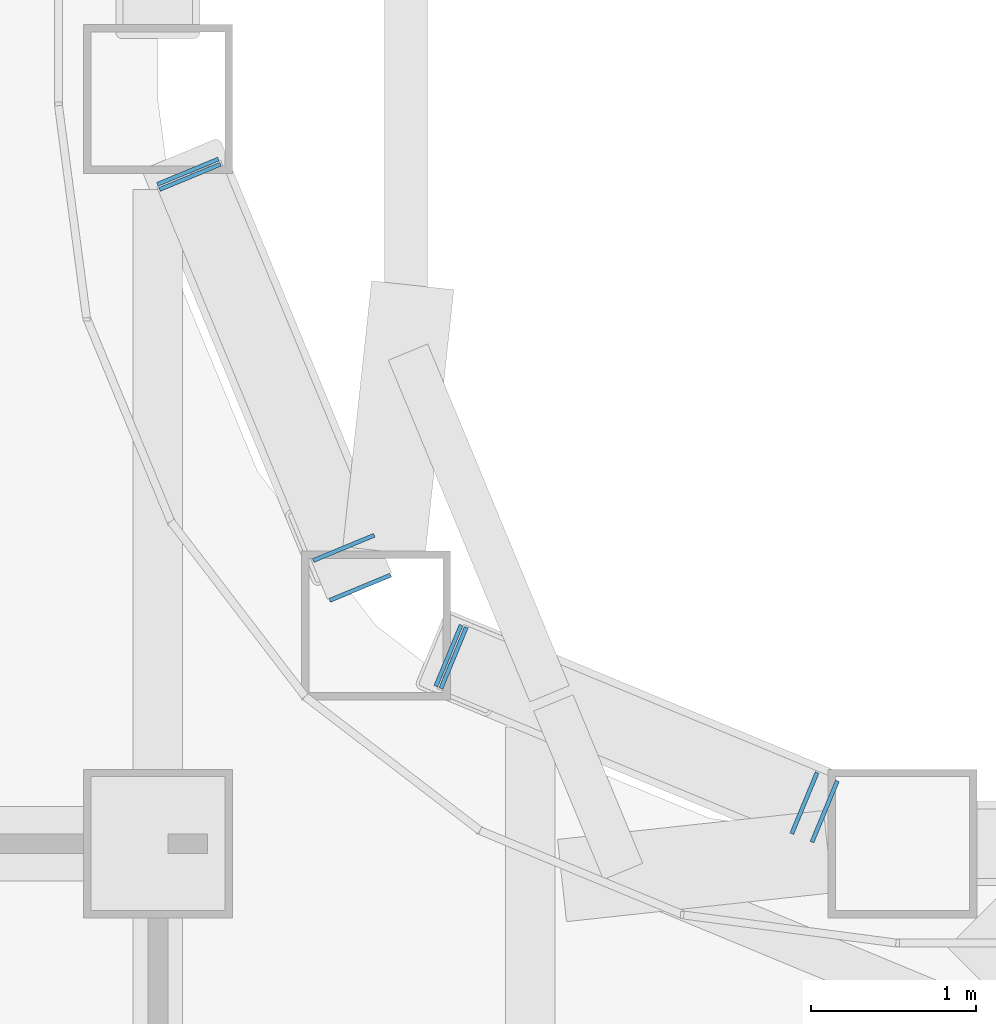
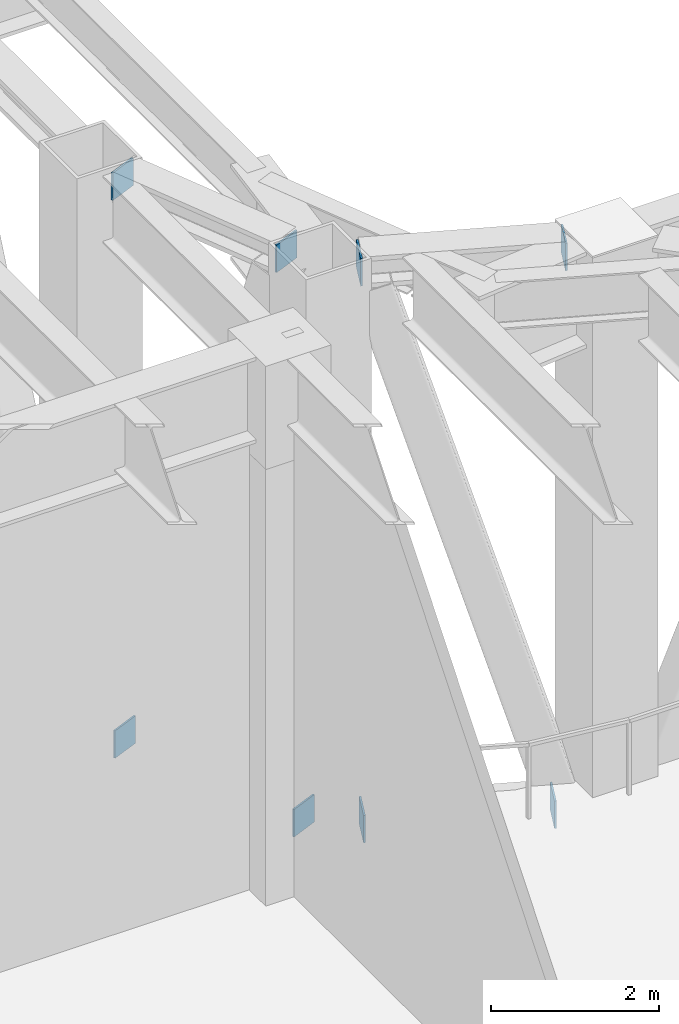
# One storey, part 6 of 16: 8 plates.
"""IFC4 building model written with IfcOpenShell, lengths in metres."""

from ifc_helpers import new_model, si_unit, direction, frame, origin, origin_2d, place, context, subcontext, project, spatial, rectangle, extrude, material, layer, layer_set, type_object, element, save


model = new_model("IFC4")

# Units and contexts
model_context = context("Model", 3, precision=1e-05, world=origin(), true_north=direction((0.0, 1.0)))
body_context = subcontext(model_context, "Body", "Model", "MODEL_VIEW")
ifc_project = project(units=[si_unit("LENGTHUNIT", "METRE"), si_unit("AREAUNIT", "SQUARE_METRE"), si_unit("VOLUMEUNIT", "CUBIC_METRE"), si_unit("PLANEANGLEUNIT", "RADIAN"), si_unit("MASSUNIT", "GRAM", prefix="KILO")], contexts=[model_context])

# Site, building, storey
site_placement = place(None, origin())
site = spatial("IfcSite", under=ifc_project, at=site_placement, CompositionType="ELEMENT")
building_placement = place(site_placement, origin())
building = spatial("IfcBuilding", under=site, at=building_placement, Name="Sennacour Bend Tower", CompositionType="ELEMENT")
storey_placement = place(building_placement, frame((0.0, 0.0, 187.0)))
storey = spatial("IfcBuildingStorey", under=building, at=storey_placement, Name="L43", CompositionType="ELEMENT", Elevation=187.0)

# Plates
ifc_material = material(Name="Steel ASTM A572 Grade 50", Category="steel")
ifc_layer = layer(ifc_material, 0.02490234375, Name="Steel ASTM A572 Grade 50", Category="steel")
ifc_layer_set = layer_set([ifc_layer], Name="Steel ASTM A572 Grade 50")
plate_type = type_object("IfcPlateType", Name="Connection end plate 25", PredefinedType="USERDEFINED", material=ifc_layer_set)
for number, where, z_axis, x_axis, name in (
    (1, (22.694580078125, 26.5302734375, -0.677490234375), (0.0, 0.0, 1.0), (-0.382683432365, 0.923879532511, 0.0), "Connection end plate CEP 25"),
    (2, (23.72314453125, 24.047119140625, -0.677490234375), (0.0, 0.0, 1.0), (0.382683432365, -0.923879532511, 0.0), "Connection end plate CEP 25"),
    (3, (24.287841796875, 23.62353515625, -0.677490234375), (0.0, 0.0, 1.0), (-0.923879532511, 0.382683432365, 0.0), "Connection end plate CEP 25"),
    (4, (26.407958984375, 22.7451171875, -0.677490234375), (0.0, 0.0, 1.0), (0.923879532511, -0.382683432365, 0.0), "Connection end plate CEP 25"),
    (5, (22.681640625, 26.5615234375, 7.422607421875), (0.0, 0.0, 1.0), (-0.382683432365, 0.923879532511, 0.0), "Connection end plate CEP 25"),
    (6, (23.62353515625, 24.287841796875, 7.422607421875), (0.0, 0.0, 1.0), (0.382683432365, -0.923879532511, 0.0), "Connection end plate CEP 25"),
    (7, (24.256591796875, 23.636474609375, 7.422607421875), (0.0, 0.0, 1.0), (-0.923879532511, 0.382683432365, 0.0), "Connection end plate CEP 25"),
    (8, (26.5302734375, 22.694580078125, 7.422607421875), (0.0, 0.0, 1.0), (0.923879532511, -0.382683432365, 0.0), "Connection end plate CEP 25"),
):
    element("IfcPlate", number, at=place(storey_placement, frame(where, z_axis=z_axis, x_axis=x_axis)), inside=storey, type_object=plate_type, Name=name, ObjectType="END PLATE", PredefinedType="USERDEFINED", context=body_context, shape_type="SweptSolid", body=[
        extrude(rectangle(XDim=0.02490234375, YDim=0.39990234375, at=origin_2d()), origin(), (0.0, 0.0, 1.0), 0.39990234375),
    ])

save(model, "model.ifc")
